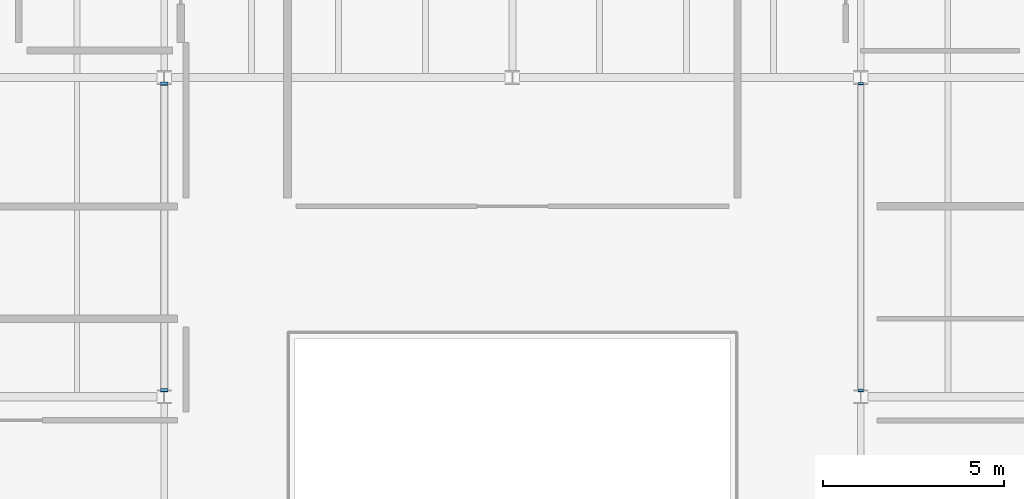
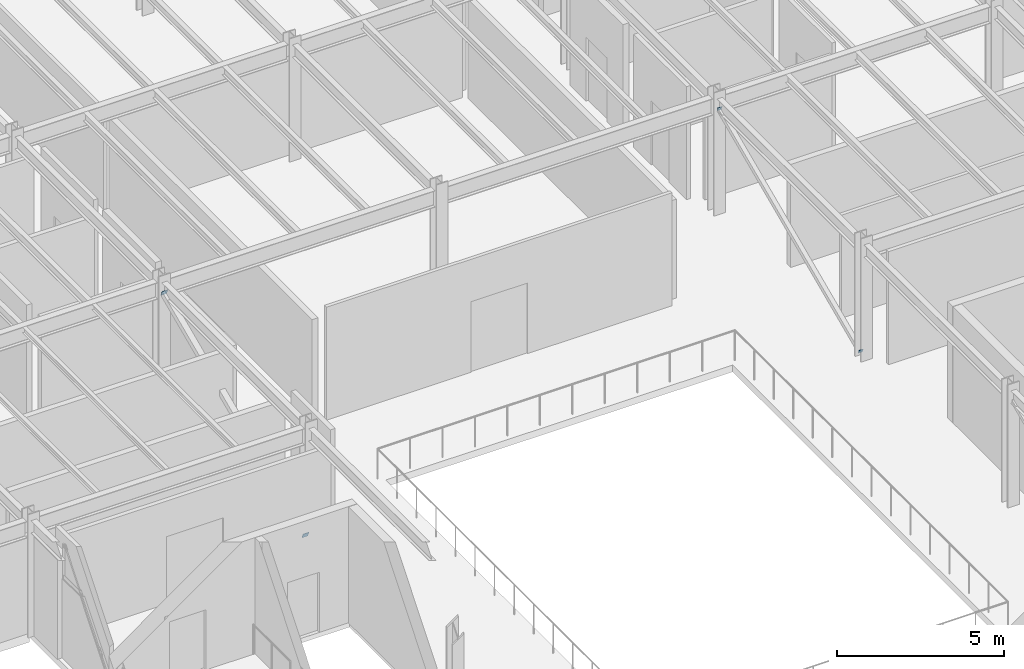
# One storey, part 67 of 88: 4 plates.
"""IFC4 building model written with IfcOpenShell, lengths in metres."""

import ifcopenshell
import ifcopenshell.guid

model = None  # the IFC model being written
_history = None  # IfcOwnerHistory: only IFC2X3 demands one
_inside = {}  # id of a spatial element -> (the spatial element, [elements in it])
_under = {}  # id of a project, library or spatial element -> (it, [spatial elements below it])
_declared = {}  # id of a project -> (the project, [libraries it declares])
_typed = {}  # id of a type object -> (the type object, [elements of that type])
_made_of = {}  # id of a material, layer set ... -> (it, [elements and type objects made of it])


def new_model(schema):
    """Start an empty IFC model of exactly this schema.

    Asked for "IFC4X3", IfcOpenShell would pick the latest addendum, in which some entities
    have other attributes; the version numbers below select the first issue.
    IFC2X3 requires an IfcOwnerHistory on every rooted entity: one is made here for all.
    """
    global model, _history
    if schema == "IFC4X3":
        model = ifcopenshell.file(schema_version=(4, 3, 0, 0))
    else:
        model = ifcopenshell.file(schema=schema)
    _inside.clear()
    _under.clear()
    _declared.clear()
    _typed.clear()
    _made_of.clear()
    _history = None
    if model.schema == "IFC2X3":
        org = make("IfcOrganization", Name="unknown")
        user = make(
            "IfcPersonAndOrganization",
            ThePerson=make("IfcPerson", FamilyName="unknown"),
            TheOrganization=org,
        )
        app = make(
            "IfcApplication",
            ApplicationDeveloper=org,
            Version="unknown",
            ApplicationFullName="unknown",
            ApplicationIdentifier="unknown",
        )
        _history = make(
            "IfcOwnerHistory",
            OwningUser=user,
            OwningApplication=app,
            ChangeAction="ADDED",
            CreationDate=0,
        )
    return model


def make(cls, **values):
    """One entity of the class cls with the attributes given. An attribute that is None is left unset."""
    return model.create_entity(
        cls, **{name: value for name, value in values.items() if value is not None}
    )


def rooted(cls, **values):
    """An entity with a GlobalId (a new one), such as an element, a storey or a relation."""
    return make(cls, GlobalId=ifcopenshell.guid.new(), OwnerHistory=_history, **values)


def si_unit(unit_type, name, prefix=None):
    """IfcSIUnit, for example si_unit("LENGTHUNIT", "METRE", prefix="MILLI")."""
    return make("IfcSIUnit", UnitType=unit_type, Prefix=prefix, Name=name)


def assignment(units):
    """IfcUnitAssignment: the units of a project."""
    return None if units is None else make("IfcUnitAssignment", Units=units)


def point(xyz):
    """IfcCartesianPoint."""
    return None if xyz is None else make("IfcCartesianPoint", Coordinates=xyz)


def direction(xyz):
    """IfcDirection."""
    return None if xyz is None else make("IfcDirection", DirectionRatios=xyz)


def frame(location, z_axis=None, x_axis=None):
    """IfcAxis2Placement3D, a coordinate frame: its origin and axes. An axis left out is left unset."""
    return make(
        "IfcAxis2Placement3D",
        Location=point(location),
        Axis=direction(z_axis),
        RefDirection=direction(x_axis),
    )


def frame_2d(location, x_axis=None):
    """IfcAxis2Placement2D, a coordinate frame in the plane: its origin and x axis."""
    return make(
        "IfcAxis2Placement2D", Location=point(location), RefDirection=direction(x_axis)
    )


def origin():
    """The frame at (0, 0, 0) with its axes left unset."""
    return frame((0.0, 0.0, 0.0))


def origin_2d():
    """The frame at (0, 0) in the plane with its x axis left unset."""
    return frame_2d((0.0, 0.0))


def place(relative_to, where):
    """IfcLocalPlacement: puts the frame where relative to a parent placement (None: the world)."""
    return make(
        "IfcLocalPlacement", PlacementRelTo=relative_to, RelativePlacement=where
    )


def context(
    kind, dimensions, precision=None, world=None, true_north=None, identifier=None
):
    """IfcGeometricRepresentationContext, for example the 3D "Model" context."""
    return make(
        "IfcGeometricRepresentationContext",
        ContextIdentifier=identifier,
        ContextType=kind,
        CoordinateSpaceDimension=dimensions,
        Precision=precision,
        WorldCoordinateSystem=world,
        TrueNorth=true_north,
    )


def subcontext(parent, identifier, kind, view, scale=None):
    """IfcGeometricRepresentationSubContext, for example "Body" below "Model"."""
    return make(
        "IfcGeometricRepresentationSubContext",
        ContextIdentifier=identifier,
        ContextType=kind,
        ParentContext=parent,
        TargetScale=scale,
        TargetView=view,
    )


def project(units=None, contexts=None):
    """IfcProject with its units and contexts."""
    return rooted(
        "IfcProject",
        Name="project",
        RepresentationContexts=contexts,
        UnitsInContext=assignment(units),
    )


def spatial(cls, under=None, at=None, **own):
    """A site, building, storey or space (cls), placed at a placement, below another one or the project."""
    s = rooted(cls, ObjectPlacement=at, **own)
    if under is not None:
        _under.setdefault(under.id(), (under, []))[1].append(s)
    return s


def profile(cls, at=None, kind="AREA", **sizes):
    """A parametric profile (cls). Its sizes go by their IFC names, for example OverallWidth=200.0."""
    return make(cls, ProfileType=kind, Position=at, **sizes)


def rectangle(**sizes):
    """IfcRectangleProfileDef."""
    return profile("IfcRectangleProfileDef", **sizes)


def extrude(swept, where, along, depth):
    """IfcExtrudedAreaSolid: the profile swept, set in the frame where, extruded along a direction by depth."""
    return make(
        "IfcExtrudedAreaSolid",
        SweptArea=swept,
        Position=where,
        ExtrudedDirection=direction(along),
        Depth=depth,
    )


def shape(context_of_items, identifier, shape_type, items):
    """IfcShapeRepresentation: the items that make up one representation, for example the "Body"."""
    return make(
        "IfcShapeRepresentation",
        ContextOfItems=context_of_items,
        RepresentationIdentifier=identifier,
        RepresentationType=shape_type,
        Items=items,
    )


def material(Name=None, Category=None):
    """IfcMaterial."""
    return make("IfcMaterial", Name=Name, Category=Category)


def layer(
    of_material, thickness, ventilated=None, Name=None, Category=None, Priority=None
):
    """IfcMaterialLayer: one layer of a wall or slab, of a material (None: an air gap)."""
    return make(
        "IfcMaterialLayer",
        Material=of_material,
        LayerThickness=thickness,
        IsVentilated=ventilated,
        Name=Name,
        Category=Category,
        Priority=Priority,
    )


def layer_set(layers, Name=None):
    """IfcMaterialLayerSet."""
    return make("IfcMaterialLayerSet", MaterialLayers=layers, LayerSetName=Name)


def made_of(thing, what):
    """Note that an element or type object is made of a material, layer set ...; save() writes the relation."""
    if what is not None:
        _made_of.setdefault(what.id(), (what, []))[1].append(thing)
    return thing


def type_object(cls, material=None, **own):
    """A type object (cls), such as IfcWallType, which elements share."""
    return made_of(rooted(cls, **own), material)


def element(
    cls,
    number,
    at=None,
    inside=None,
    cuts=None,
    type_object=None,
    material=None,
    context=None,
    identifier="Body",
    shape_type=None,
    held_by="IfcProductDefinitionShape",
    body=None,
    shapes=None,
    **own,
):
    """One element of the class cls, such as IfcWall. Its Tag is "e" and its number.

    at: its placement. inside: the storey or other place that contains it. cuts: it is an
    opening in that element (IfcRelVoidsElement). A single representation is given by context,
    identifier, shape_type and body (its items); several are given by shapes. held_by: the class
    of the entity that holds the representations. save() writes the other relations.
    """
    e = rooted(cls, Tag="e%d" % number, ObjectPlacement=at, **own)
    if body is not None:
        shapes = [shape(context, identifier, shape_type, body)]
    if shapes is not None:
        e.Representation = make(held_by, Representations=shapes)
    if inside is not None:
        _inside.setdefault(inside.id(), (inside, []))[1].append(e)
    if cuts is not None:
        rooted(
            "IfcRelVoidsElement", RelatingBuildingElement=cuts, RelatedOpeningElement=e
        )
    if type_object is not None:
        _typed.setdefault(type_object.id(), (type_object, []))[1].append(e)
    return made_of(e, material)


def aggregate(whole, parts):
    """IfcRelAggregates: a whole, such as a stair, and the parts it consists of."""
    return rooted("IfcRelAggregates", RelatingObject=whole, RelatedObjects=parts)


def save(model, path):
    """Write the relations noted so far, then the file.

    IfcRelAggregates (storeys below a building ...), IfcRelContainedInSpatialStructure (elements
    in a storey), IfcRelDefinesByType, IfcRelAssociatesMaterial and IfcRelDeclares: one each for
    every whole, place, type object, material and project.
    """
    for whole, parts in _under.values():
        aggregate(whole, parts)
    for where, things in _inside.values():
        rooted(
            "IfcRelContainedInSpatialStructure",
            RelatedElements=things,
            RelatingStructure=where,
        )
    for kind, things in _typed.values():
        rooted("IfcRelDefinesByType", RelatedObjects=things, RelatingType=kind)
    for what, things in _made_of.values():
        rooted("IfcRelAssociatesMaterial", RelatedObjects=things, RelatingMaterial=what)
    for by, libraries in _declared.values():
        rooted("IfcRelDeclares", RelatingContext=by, RelatedDefinitions=libraries)
    model.write(path)


model = new_model("IFC4")

# Units and contexts
model_context = context("Model", 3, precision=1e-05, world=origin(), true_north=direction((0.0, 1.0)))
body_context = subcontext(model_context, "Body", "Model", "MODEL_VIEW")
ifc_project = project(units=[si_unit("LENGTHUNIT", "METRE"), si_unit("AREAUNIT", "SQUARE_METRE"), si_unit("VOLUMEUNIT", "CUBIC_METRE"), si_unit("PLANEANGLEUNIT", "RADIAN"), si_unit("MASSUNIT", "GRAM", prefix="KILO")], contexts=[model_context])

# Site, building, storey
site_placement = place(None, origin())
site = spatial("IfcSite", under=ifc_project, at=site_placement, CompositionType="ELEMENT")
building_placement = place(site_placement, origin())
building = spatial("IfcBuilding", under=site, at=building_placement, Name="Sarnbrook Museum", CompositionType="ELEMENT")
storey_placement = place(building_placement, frame((0.0, 0.0, 10.10009765625)))
storey = spatial("IfcBuildingStorey", under=building, at=storey_placement, Name="L02", CompositionType="ELEMENT", Elevation=10.10009765625)

# Plates
ifc_material = material(Name="Structural Steel Grade 350L0 (AS/NZS 3678, fy = 340 MPa for 20 < t <= 40 mm)", Category="steel")
ifc_layer_1 = layer(ifc_material, 0.01611328125)
ifc_layer_set_1 = layer_set([ifc_layer_1], Name="Structural Steel Grade 350L0 (AS/NZS 3678, fy = 340 MPa for 20 < t <= 40 mm)")
plate_type_1 = type_object("IfcPlateType", Name="EndCapPlate_CAP150", PredefinedType="USERDEFINED", material=ifc_layer_set_1)
for number, where, z_axis, x_axis, name in (
    (1, (109.60009765625, 74.5654296875, 0.113525390625), (0.0, 0.914658650878, 0.404227104946), (-1.0, 0.0, 0.0), "Hollow End Cap Plate CBF:4:L02-1"),
    (2, (109.60009765625, 83.02001953125, 3.849853515625), (0.0, 0.914658650878, 0.404227104946), (-1.0, 0.0, 0.0), "Hollow End Cap Plate CBF:4:L02-2"),
):
    element("IfcPlate", number, at=place(storey_placement, frame(where, z_axis=z_axis, x_axis=x_axis)), inside=storey, type_object=plate_type_1, Name=name, ObjectType="END CAP PLATE", PredefinedType="USERDEFINED", context=body_context, shape_type="SweptSolid", body=[
        extrude(rectangle(XDim=0.14990234375, YDim=0.14990234375, at=origin_2d()), origin(), (0.0, 0.0, 1.0), 0.01611328125),
    ])
ifc_layer_2 = layer(ifc_material, 0.01611328125)
ifc_layer_set_2 = layer_set([ifc_layer_2], Name="Structural Steel Grade 350L0 (AS/NZS 3678, fy = 340 MPa for 20 < t <= 40 mm)")
plate_type_2 = type_object("IfcPlateType", Name="EndCapPlate_CAP200", PredefinedType="USERDEFINED", material=ifc_layer_set_2)
for number, where, z_axis, x_axis, name in (
    (3, (90.39990234375, 74.5654296875, 0.113525390625), (0.0, 0.914658650878, 0.404227104946), (-1.0, 0.0, 0.0), "Hollow End Cap Plate CBF:3:L02-1"),
    (4, (90.39990234375, 83.02001953125, 3.849853515625), (0.0, 0.914658650878, 0.404227104946), (-1.0, 0.0, 0.0), "Hollow End Cap Plate CBF:3:L02-2"),
):
    element("IfcPlate", number, at=place(storey_placement, frame(where, z_axis=z_axis, x_axis=x_axis)), inside=storey, type_object=plate_type_2, Name=name, ObjectType="END CAP PLATE", PredefinedType="USERDEFINED", context=body_context, shape_type="SweptSolid", body=[
        extrude(rectangle(XDim=0.199951171875, YDim=0.199951171875, at=origin_2d()), origin(), (0.0, 0.0, 1.0), 0.01611328125),
    ])

save(model, "model.ifc")
